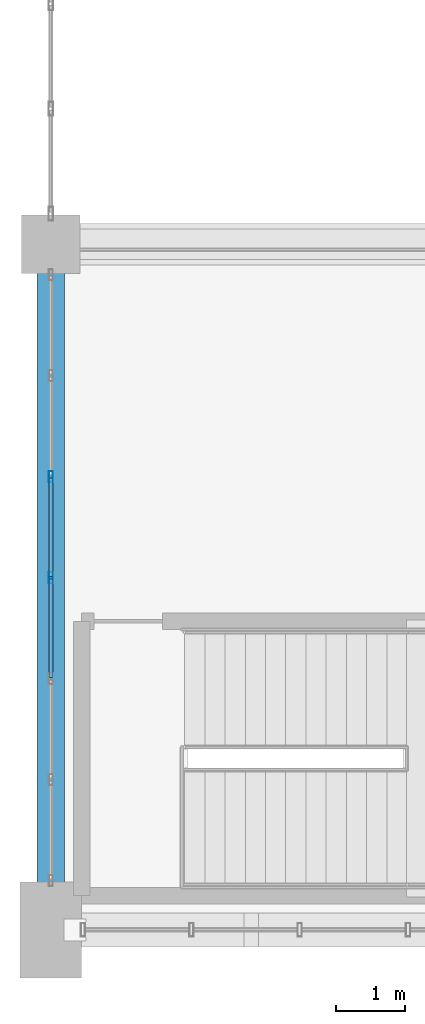
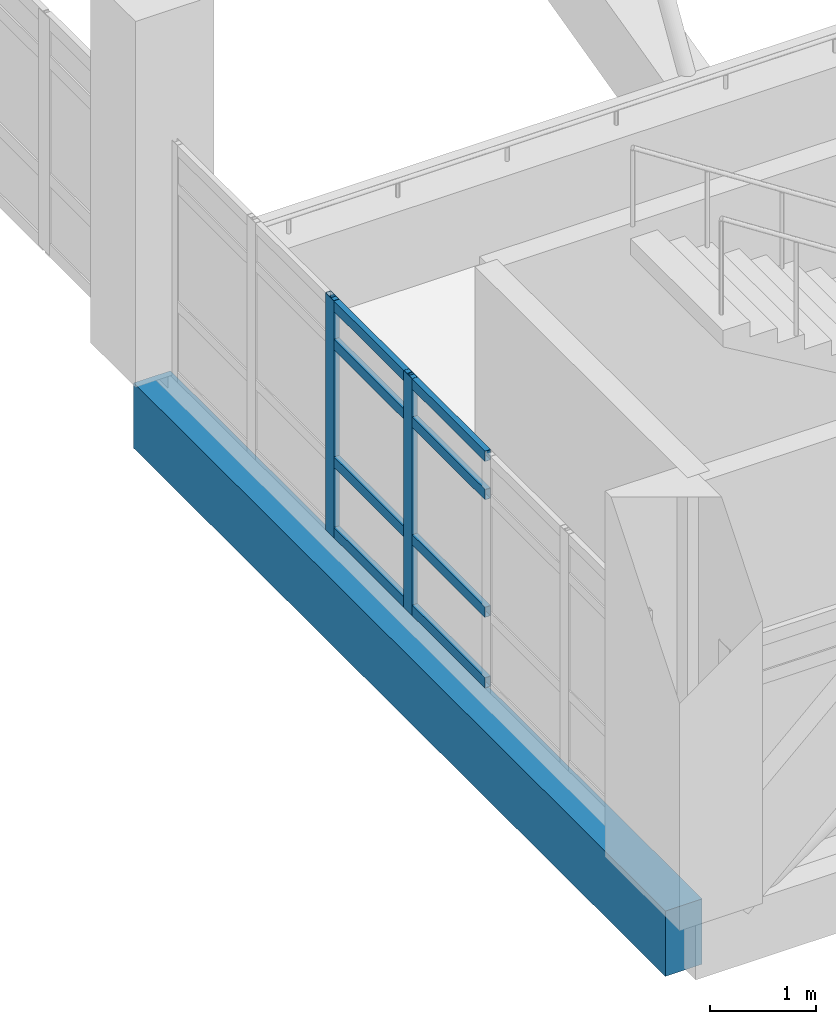
# One storey, part 8 of 161: 10 members, 1 beam, 1 element without a shape of its own.
"""IFC4 building model written with IfcOpenShell, lengths in metres."""

from ifc_helpers import new_model, si_unit, direction, frame, origin, origin_2d, place, context, subcontext, project, spatial, rectangle, hollow_rectangle, extrude, material, layer, layer_set, material_profile, profile_set, type_object, element, aggregate, save


model = new_model("IFC4")

# Units and contexts
model_context = context("Model", 3, precision=1e-05, world=origin(), true_north=direction((0.0, 1.0)))
body_context = subcontext(model_context, "Body", "Model", "MODEL_VIEW")
ifc_project = project(units=[si_unit("LENGTHUNIT", "METRE"), si_unit("AREAUNIT", "SQUARE_METRE"), si_unit("VOLUMEUNIT", "CUBIC_METRE"), si_unit("PLANEANGLEUNIT", "RADIAN"), si_unit("MASSUNIT", "GRAM", prefix="KILO")], contexts=[model_context])

# Site, building, storey
site_placement = place(None, origin())
site = spatial("IfcSite", under=ifc_project, at=site_placement, CompositionType="ELEMENT")
building_placement = place(site_placement, origin())
building = spatial("IfcBuilding", under=site, at=building_placement, Name="Mersad Railyard Sports Hall", CompositionType="ELEMENT")
storey_placement = place(building_placement, frame((0.0, 0.0, 4.800048828125)))
storey = spatial("IfcBuildingStorey", under=building, at=storey_placement, Name="L01", CompositionType="ELEMENT", Elevation=4.800048828125)

# Curtain wall, members
ifc_material_1 = material(Name="Aluminium 6063-T6", Category="aluminium")
ifc_layer = layer(ifc_material_1, 0.159912109375)
ifc_layer_set = layer_set([ifc_layer], Name="Aluminium 6063-T6")
curtain_wall_type = type_object("IfcCurtainWallType", Name="ARC-CW-CW03", PredefinedType="USERDEFINED", material=ifc_layer_set)
curtain_wall_placement = place(storey_placement, origin())
curtain_wall = element("IfcCurtainWall", 1, at=curtain_wall_placement, inside=storey, type_object=curtain_wall_type, Name="Curtain wall CW03-0023", ObjectType="CURTAIN WALL", PredefinedType="USERDEFINED")
ifc_material_profile_1 = material_profile(ifc_material_1, hollow_rectangle(XDim=0.06005859375, YDim=0.159912109375, WallThickness=0.00390625, at=origin_2d()), Name="AL MULLION 60x160x4")
ifc_profile_set_1 = profile_set([ifc_material_profile_1], Name="Aluminium 6063-T6")
member_type_1 = type_object("IfcMemberType", Name="ARC-CW-MUL01", PredefinedType="MULLION", material=ifc_profile_set_1)
member_1_placement = place(storey_placement, frame((7.0, 8.637451171875, -0.02001953125), z_axis=(0.0, 0.0, 1.0), x_axis=(1.0, 0.0, 0.0)))
member_1 = element("IfcMember", 2, at=member_1_placement, type_object=member_type_1, Name="CW03 Mullion 4", PredefinedType="MULLION", context=body_context, shape_type="SweptSolid", body=[
    extrude(hollow_rectangle(XDim=0.06005859375, YDim=0.159912109375, WallThickness=0.00390625, at=origin_2d()), origin(), (0.0, 0.0, 1.0), 2.719970703125),
])
member_2_placement = place(storey_placement, frame((7.0, 10.110107421875, -0.02001953125), z_axis=(0.0, 0.0, 1.0), x_axis=(1.0, 0.0, 0.0)))
member_2 = element("IfcMember", 3, at=member_2_placement, type_object=member_type_1, Name="CW03 Mullion 5", PredefinedType="MULLION", context=body_context, shape_type="SweptSolid", body=[
    extrude(hollow_rectangle(XDim=0.06005859375, YDim=0.159912109375, WallThickness=0.00390625, at=origin_2d()), origin(), (0.0, 0.0, 1.0), 2.719970703125),
])
ifc_material_profile_2 = material_profile(ifc_material_1, hollow_rectangle(XDim=0.06005859375, YDim=0.1201171875, WallThickness=0.00390625, at=origin_2d()), Name="AL TRANSOM 60x120x4")
ifc_profile_set_2 = profile_set([ifc_material_profile_2], Name="Aluminium 6063-T6")
member_type_2 = type_object("IfcMemberType", Name="ARC-CW-TRN01", PredefinedType="USERDEFINED", material=ifc_profile_set_2)
member_3_placement = place(storey_placement, frame((7.0, 7.18505859375, 0.0400390625), z_axis=(0.0, 1.0, 0.0), x_axis=(-1.0, 0.0, 0.0)))
member_3 = element("IfcMember", 4, at=member_3_placement, type_object=member_type_2, Name="CW03 Transom 1-3", ObjectType="TRANSOM", PredefinedType="USERDEFINED", context=body_context, shape_type="SweptSolid", body=[
    extrude(hollow_rectangle(XDim=0.06005859375, YDim=0.1201171875, WallThickness=0.00390625, at=origin_2d()), origin(), (0.0, 0.0, 1.0), 1.432373046875),
])
member_4_placement = place(storey_placement, frame((7.0, 8.657470703125, 0.0400390625), z_axis=(0.0, 1.0, 0.0), x_axis=(-1.0, 0.0, 0.0)))
member_4 = element("IfcMember", 5, at=member_4_placement, type_object=member_type_2, Name="CW03 Transom 1-4", ObjectType="TRANSOM", PredefinedType="USERDEFINED", context=body_context, shape_type="SweptSolid", body=[
    extrude(hollow_rectangle(XDim=0.06005859375, YDim=0.1201171875, WallThickness=0.00390625, at=origin_2d()), origin(), (0.0, 0.0, 1.0), 1.4326171875),
])
member_5_placement = place(storey_placement, frame((7.0, 7.18505859375, 0.849853515625), z_axis=(0.0, 1.0, 0.0), x_axis=(-1.0, 0.0, 0.0)))
member_5 = element("IfcMember", 6, at=member_5_placement, type_object=member_type_2, Name="CW03 Transom 2-3", ObjectType="TRANSOM", PredefinedType="USERDEFINED", context=body_context, shape_type="SweptSolid", body=[
    extrude(hollow_rectangle(XDim=0.06005859375, YDim=0.1201171875, WallThickness=0.00390625, at=origin_2d()), origin(), (0.0, 0.0, 1.0), 1.432373046875),
])
member_6_placement = place(storey_placement, frame((7.0, 8.657470703125, 0.849853515625), z_axis=(0.0, 1.0, 0.0), x_axis=(-1.0, 0.0, 0.0)))
member_6 = element("IfcMember", 7, at=member_6_placement, type_object=member_type_2, Name="CW03 Transom 2-4", ObjectType="TRANSOM", PredefinedType="USERDEFINED", context=body_context, shape_type="SweptSolid", body=[
    extrude(hollow_rectangle(XDim=0.06005859375, YDim=0.1201171875, WallThickness=0.00390625, at=origin_2d()), origin(), (0.0, 0.0, 1.0), 1.4326171875),
])
member_7_placement = place(storey_placement, frame((7.0, 7.18505859375, 2.199951171875), z_axis=(0.0, 1.0, 0.0), x_axis=(-1.0, 0.0, 0.0)))
member_7 = element("IfcMember", 8, at=member_7_placement, type_object=member_type_2, Name="CW03 Transom 3-3", ObjectType="TRANSOM", PredefinedType="USERDEFINED", context=body_context, shape_type="SweptSolid", body=[
    extrude(hollow_rectangle(XDim=0.06005859375, YDim=0.1201171875, WallThickness=0.00390625, at=origin_2d()), origin(), (0.0, 0.0, 1.0), 1.432373046875),
])
member_8_placement = place(storey_placement, frame((7.0, 8.657470703125, 2.199951171875), z_axis=(0.0, 1.0, 0.0), x_axis=(-1.0, 0.0, 0.0)))
member_8 = element("IfcMember", 9, at=member_8_placement, type_object=member_type_2, Name="CW03 Transom 3-4", ObjectType="TRANSOM", PredefinedType="USERDEFINED", context=body_context, shape_type="SweptSolid", body=[
    extrude(hollow_rectangle(XDim=0.06005859375, YDim=0.1201171875, WallThickness=0.00390625, at=origin_2d()), origin(), (0.0, 0.0, 1.0), 1.4326171875),
])
member_9_placement = place(storey_placement, frame((7.0, 7.18505859375, 2.639892578125), z_axis=(0.0, 1.0, 0.0), x_axis=(-1.0, 0.0, 0.0)))
member_9 = element("IfcMember", 10, at=member_9_placement, type_object=member_type_2, Name="CW03 Transom 4-3", ObjectType="TRANSOM", PredefinedType="USERDEFINED", context=body_context, shape_type="SweptSolid", body=[
    extrude(hollow_rectangle(XDim=0.06005859375, YDim=0.1201171875, WallThickness=0.00390625, at=origin_2d()), origin(), (0.0, 0.0, 1.0), 1.432373046875),
])
member_10_placement = place(storey_placement, frame((7.0, 8.657470703125, 2.639892578125), z_axis=(0.0, 1.0, 0.0), x_axis=(-1.0, 0.0, 0.0)))
member_10 = element("IfcMember", 11, at=member_10_placement, type_object=member_type_2, Name="CW03 Transom 4-4", ObjectType="TRANSOM", PredefinedType="USERDEFINED", context=body_context, shape_type="SweptSolid", body=[
    extrude(hollow_rectangle(XDim=0.06005859375, YDim=0.1201171875, WallThickness=0.00390625, at=origin_2d()), origin(), (0.0, 0.0, 1.0), 1.4326171875),
])
aggregate(curtain_wall, [member_1, member_2, member_3, member_4, member_5, member_6, member_7, member_8, member_9, member_10])

# Beam
ifc_material_2 = material(Name="Concrete C40/50", Category="concrete")
ifc_material_profile_3 = material_profile(ifc_material_2, rectangle(XDim=0.39990234375, YDim=0.75, at=origin_2d()), Name="RC 400x750")
ifc_profile_set_3 = profile_set([ifc_material_profile_3], Name="Concrete C40/50")
beam_type = type_object("IfcBeamType", Name="STR-BM-B01", PredefinedType="BEAM", material=ifc_profile_set_3)
beam_placement = place(storey_placement, frame((7.0, 3.5, -0.66015625), z_axis=(0.0, 1.0, 0.0), x_axis=(-1.0, 0.0, 0.0)))
element("IfcBeam", 12, at=beam_placement, inside=storey, type_object=beam_type, Name="Beam B01-0320", PredefinedType="BEAM", context=body_context, shape_type="SweptSolid", body=[
    extrude(rectangle(XDim=0.39990234375, YDim=0.75, at=origin_2d()), origin(), (0.0, 0.0, 1.0), 10.0),
])

save(model, "model.ifc")
